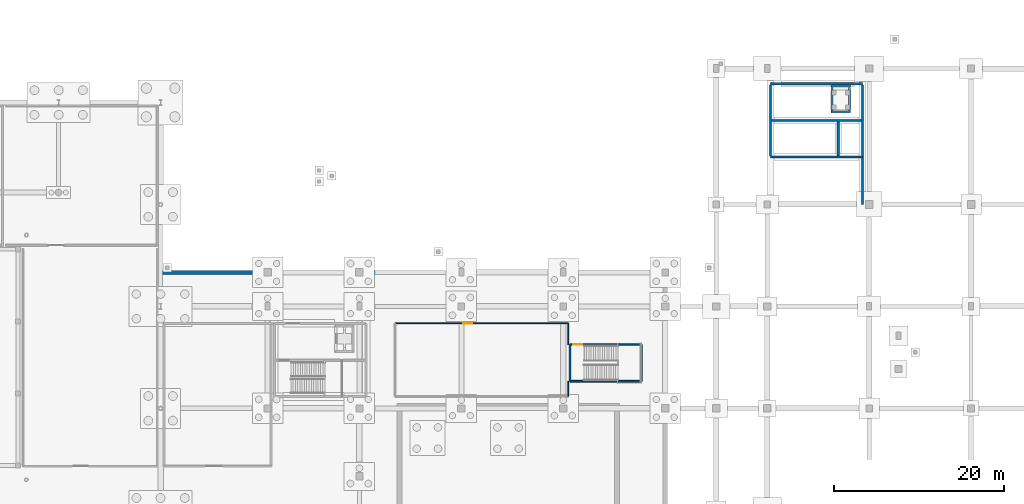
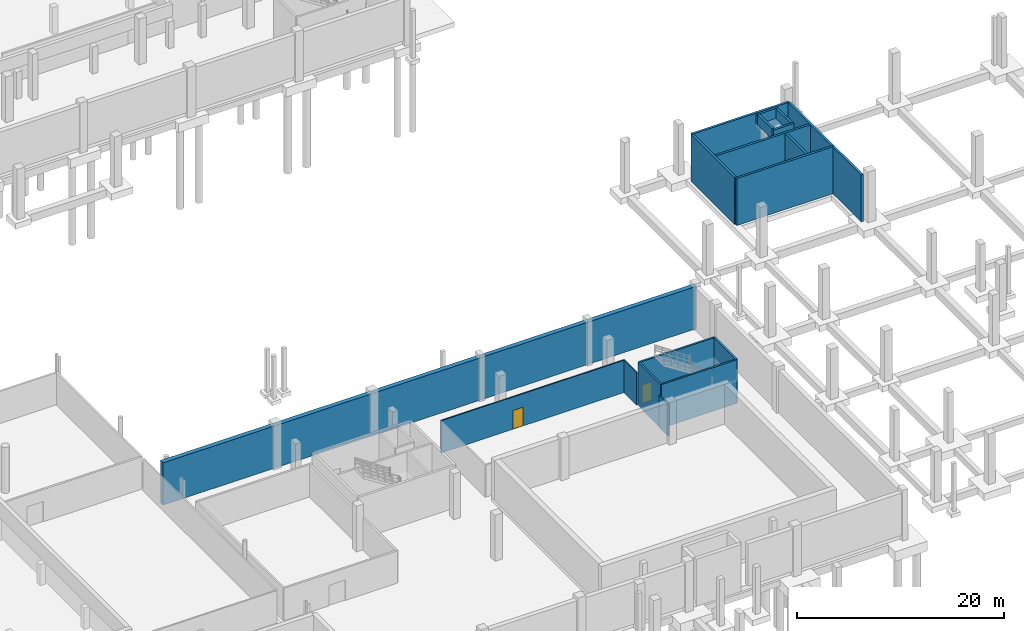
# One storey, part 33 of 42: 18 walls, 2 doors, 2 openings.
"""IFC4 building model written with IfcOpenShell, lengths in metres."""

from ifc_helpers import new_model, si_unit, direction, frame, frame_2d, origin, place, context, subcontext, project, spatial, rectangle, extrude, material, layer, layer_set, type_object, element, fill, save


model = new_model("IFC4")

# Units and contexts
model_context = context("Model", 3, precision=1e-05, world=origin(), true_north=direction((0.0, 1.0)))
body_context = subcontext(model_context, "Body", "Model", "MODEL_VIEW")
ifc_project = project(units=[si_unit("LENGTHUNIT", "METRE"), si_unit("AREAUNIT", "SQUARE_METRE"), si_unit("VOLUMEUNIT", "CUBIC_METRE"), si_unit("PLANEANGLEUNIT", "RADIAN"), si_unit("MASSUNIT", "GRAM", prefix="KILO"), si_unit("THERMODYNAMICTEMPERATUREUNIT", "KELVIN"), si_unit("POWERUNIT", "WATT")], contexts=[model_context])

# Site, building, storey
site_placement = place(None, origin())
site = spatial("IfcSite", under=ifc_project, at=site_placement, CompositionType="ELEMENT")
building_placement = place(site_placement, origin())
building = spatial("IfcBuilding", under=site, at=building_placement, Name="Solmara Park Aquatics Centre", CompositionType="ELEMENT")
storey_placement = place(building_placement, frame((0.0, 0.0, -5.39990234375)))
storey = spatial("IfcBuildingStorey", under=building, at=storey_placement, Name="B1", CompositionType="ELEMENT", Elevation=-5.39990234375)

# Walls
ifc_material_1 = material(Name="Double-Stud Acoustic Gypsum Partition", Category="gypsum")
ifc_layer_1 = layer(ifc_material_1, 0.139892578125, Name="Double-Stud Acoustic Gypsum Partition")
ifc_layer_set_1 = layer_set([ifc_layer_1], Name="Double-Stud Acoustic Gypsum Partition")
wall_type_1 = type_object("IfcWallType", Name="ARC-WL-ACU140", PredefinedType="PARTITIONING", material=ifc_layer_set_1)
wall_1_placement = place(storey_placement, frame((144.60009765625, 38.0, 0.0), z_axis=(0.0, 0.0, 1.0), x_axis=(0.0, 1.0, 0.0)))
element("IfcWall", 1, at=wall_1_placement, inside=storey, type_object=wall_type_1, Name="Interior Partition IW-B1-0020 (B1-OBS-01)", PredefinedType="PARTITIONING", context=body_context, shape_type="SweptSolid", body=[
    extrude(rectangle(XDim=1.7900390625, YDim=0.139892578125, at=frame_2d((0.89501953125, 0.0))), origin(), (0.0, 0.0, 1.0), 3.7998046875),
])
wall_2_placement = place(storey_placement, frame((144.60009765625, 44.110107421875, 0.0), z_axis=(0.0, 0.0, 1.0), x_axis=(0.0, 1.0, 0.0)))
element("IfcWall", 2, at=wall_2_placement, inside=storey, type_object=wall_type_1, Name="Interior Partition IW-B1-0021 (B1-OBS-01)", PredefinedType="PARTITIONING", context=body_context, shape_type="SweptSolid", body=[
    extrude(rectangle(XDim=2.489990234375, YDim=0.139892578125, at=frame_2d((1.2451171875, 0.0))), origin(), (0.0, 0.0, 1.0), 3.7998046875),
])

# Wall, opening, door
wall_3_placement = place(storey_placement, frame((124.199951171875, 46.60009765625, 0.0), z_axis=(0.0, 0.0, 1.0), x_axis=(1.0, 0.0, 0.0)))
wall_3 = element("IfcWall", 3, at=wall_3_placement, inside=storey, type_object=wall_type_1, Name="Interior Partition IW-B1-0022 (B1-OBS-01)", PredefinedType="PARTITIONING", context=body_context, shape_type="SweptSolid", body=[
    extrude(rectangle(XDim=20.400146484375, YDim=0.139892578125, at=frame_2d((10.2001953125, 0.0))), origin(), (0.0, 0.0, 1.0), 3.7998046875),
])
opening_1_placement = place(wall_3_placement, frame((8.0, 0.0, 0.0)))
opening_1 = element("IfcOpeningElement", 4, at=opening_1_placement, cuts=wall_3, Name="Opening D-11", PredefinedType="OPENING", context=body_context, shape_type="SweptSolid", body=[
    extrude(rectangle(XDim=1.10009765625, YDim=2.199951171875, at=frame_2d((0.550048828125, 1.10009765625))), frame((0.0, 0.079833984375, 0.0), z_axis=(0.0, -1.0, 0.0), x_axis=(1.0, 0.0, 0.0)), (0.0, 0.0, 1.0), 0.159912109375),
])
ifc_material_2 = material(Name="Moisture-Resistant HPL & Hardwood", Category="wood")
door_type = type_object("IfcDoorType", Name="ARC-DR-FD110x220", OperationType="NOTDEFINED", PredefinedType="DOOR", material=ifc_material_2)
door_1_placement = place(opening_1_placement, frame((1.10009765625, 0.0, 0.0), z_axis=(0.0, 0.0, 1.0), x_axis=(-1.0, 0.0, 0.0)))
door_1 = element("IfcDoor", 5, at=door_1_placement, inside=storey, type_object=door_type, Name="Underwater Diving Coaching and Biomechanics Viewing Chamber Door", OperationType="SINGLE_SWING_LEFT", OverallHeight=2.199951171875, OverallWidth=1.10009765625, PredefinedType="DOOR", context=body_context, shape_type="SweptSolid", body=[
    extrude(rectangle(XDim=1.10009765625, YDim=2.199951171875, at=frame_2d((0.550048828125, 1.10009765625))), frame((0.0, 0.02490234375, 0.0), z_axis=(0.0, -1.0, 0.0), x_axis=(1.0, 0.0, 0.0)), (0.0, 0.0, 1.0), 0.050048828125),
])
fill(opening_1, door_1)

# Walls
ifc_material_3 = material(Name="Concrete C40/50", Category="concrete")
ifc_layer_2 = layer(ifc_material_3, 0.25, Name="Concrete C40/50")
ifc_layer_set_2 = layer_set([ifc_layer_2], Name="Concrete C40/50")
wall_type_2 = type_object("IfcWallType", Name="STR-WL-CORE250", PredefinedType="SHEAR", material=ifc_layer_set_2)
for number, where, z_axis, x_axis, name in (
    (6, (175.5, 71.47509765625, 3.7998046875), (0.0, 0.0, 1.0), (1.0, 0.0, 0.0), "Lift Shaft LF-07 Pit Wall S"),
    (7, (175.5, 74.52490234375, 3.7998046875), (0.0, 0.0, 1.0), (1.0, 0.0, 0.0), "Lift Shaft LF-07 Pit Wall N"),
):
    element("IfcWall", number, at=place(storey_placement, frame(where, z_axis=z_axis, x_axis=x_axis)), inside=storey, type_object=wall_type_2, Name=name, PredefinedType="SHEAR", context=body_context, shape_type="SweptSolid", body=[
        extrude(rectangle(XDim=2.300048828125, YDim=0.25, at=frame_2d((1.14990234375, 0.0))), origin(), (0.0, 0.0, 1.0), 1.18017578125),
    ])
for number, where, z_axis, x_axis, name in (
    (8, (175.625, 71.610107421875, 3.7998046875), (0.0, 0.0, 1.0), (0.0, 1.0, 0.0), "Lift Shaft LF-07 Pit Wall W"),
    (9, (177.675048828125, 71.610107421875, 3.7998046875), (0.0, 0.0, 1.0), (0.0, 1.0, 0.0), "Lift Shaft LF-07 Pit Wall E"),
):
    element("IfcWall", number, at=place(storey_placement, frame(where, z_axis=z_axis, x_axis=x_axis)), inside=storey, type_object=wall_type_2, Name=name, PredefinedType="SHEAR", context=body_context, shape_type="SweptSolid", body=[
        extrude(rectangle(XDim=2.77978515625, YDim=0.25, at=frame_2d((1.389892578125, 0.0))), origin(), (0.0, 0.0, 1.0), 1.18017578125),
    ])
for number, where, z_axis, x_axis, name in (
    (10, (168.39990234375, 66.199951171875, -0.550048828125), (0.0, 0.0, 1.0), (1.0, 0.0, 0.0), "CORE-5 Foundation Support Wall S B1"),
    (11, (168.39990234375, 74.800048828125, -0.550048828125), (0.0, 0.0, 1.0), (1.0, 0.0, 0.0), "CORE-5 Foundation Support Wall N B1"),
):
    element("IfcWall", number, at=place(storey_placement, frame(where, z_axis=z_axis, x_axis=x_axis)), inside=storey, type_object=wall_type_2, Name=name, PredefinedType="SHEAR", context=body_context, shape_type="SweptSolid", body=[
        extrude(rectangle(XDim=10.800048828125, YDim=0.25, at=frame_2d((5.39990234375, 0.0))), origin(), (0.0, 0.0, 1.0), 5.530029296875),
    ])
wall_4_placement = place(storey_placement, frame((168.39990234375, 66.330078125, -0.550048828125), z_axis=(0.0, 0.0, 1.0), x_axis=(0.0, 1.0, 0.0)))
element("IfcWall", 12, at=wall_4_placement, inside=storey, type_object=wall_type_2, Name="CORE-5 Foundation Support Wall W B1", PredefinedType="SHEAR", context=body_context, shape_type="SweptSolid", body=[
    extrude(rectangle(XDim=8.33984375, YDim=0.25, at=frame_2d((4.169921875, 0.0))), origin(), (0.0, 0.0, 1.0), 5.530029296875),
])
wall_5_placement = place(storey_placement, frame((179.199951171875, 60.60009765625, -0.550048828125), z_axis=(0.0, 0.0, 1.0), x_axis=(0.0, 1.0, 0.0)))
element("IfcWall", 13, at=wall_5_placement, inside=storey, type_object=wall_type_2, Name="CORE-5 Foundation Support Wall E B1", PredefinedType="SHEAR", context=body_context, shape_type="SweptSolid", body=[
    extrude(rectangle(XDim=14.06982421875, YDim=0.25, at=frame_2d((7.034912109375, 0.0))), origin(), (0.0, 0.0, 1.0), 5.530029296875),
])
wall_6_placement = place(storey_placement, frame((168.530029296875, 70.47509765625, -0.550048828125), z_axis=(0.0, 0.0, 1.0), x_axis=(1.0, 0.0, 0.0)))
element("IfcWall", 14, at=wall_6_placement, inside=storey, type_object=wall_type_2, Name="CORE-5 Foundation Support Wall DIV B1", PredefinedType="SHEAR", context=body_context, shape_type="SweptSolid", body=[
    extrude(rectangle(XDim=10.5400390625, YDim=0.25, at=frame_2d((5.27001953125, 0.0))), origin(), (0.0, 0.0, 1.0), 5.530029296875),
])
wall_7_placement = place(storey_placement, frame((176.360107421875, 66.330078125, -0.550048828125), z_axis=(0.0, 0.0, 1.0), x_axis=(0.0, 1.0, 0.0)))
element("IfcWall", 15, at=wall_7_placement, inside=storey, type_object=wall_type_2, Name="CORE-5 Foundation Support Wall STE B1", PredefinedType="SHEAR", context=body_context, shape_type="SweptSolid", body=[
    extrude(rectangle(XDim=4.014892578125, YDim=0.25, at=frame_2d((2.00732421875, 0.0))), origin(), (0.0, 0.0, 1.0), 5.530029296875),
])
ifc_material_4 = material(Name="Watertight Concrete C45/55", Category="concrete")
ifc_layer_3 = layer(ifc_material_4, 0.5, Name="Watertight Concrete C45/55")
ifc_layer_set_3 = layer_set([ifc_layer_3], Name="Watertight Concrete C45/55")
wall_type_3 = type_object("IfcWallType", Name="STR-WL-RET500", PredefinedType="USERDEFINED", material=ifc_layer_set_3)
wall_8_placement = place(storey_placement, frame((156.0, 52.60009765625, 0.0), z_axis=(0.0, 0.0, 1.0), x_axis=(-1.0, 0.0, 0.0)))
element("IfcWall", 16, at=wall_8_placement, inside=storey, type_object=wall_type_3, Name="Basement Perimeter Retaining Wall 06", ObjectType="RETAINING WALL", PredefinedType="USERDEFINED", context=body_context, shape_type="SweptSolid", body=[
    extrude(rectangle(XDim=59.39990234375, YDim=0.5, at=frame_2d((29.699951171875, 0.0))), origin(), (0.0, 0.0, 1.0), 4.97998046875),
])
ifc_material_5 = material(Name="Concrete C35/45", Category="concrete")
ifc_layer_4 = layer(ifc_material_5, 0.199951171875, Name="Concrete C35/45")
ifc_layer_set_4 = layer_set([ifc_layer_4], Name="Concrete C35/45")
wall_type_4 = type_object("IfcWallType", Name="STR-WL-STAIR200", PredefinedType="SHEAR", material=ifc_layer_set_4)
wall_9_placement = place(storey_placement, frame((144.800048828125, 39.800048828125, -0.150146484375), z_axis=(0.0, 0.0, 1.0), x_axis=(1.0, 0.0, 0.0)))
element("IfcWall", 17, at=wall_9_placement, inside=storey, type_object=wall_type_4, Name="ST09 Escape Stair Wall S B1", PredefinedType="SHEAR", context=body_context, shape_type="SweptSolid", body=[
    extrude(rectangle(XDim=8.39990234375, YDim=0.199951171875, at=frame_2d((4.199951171875, 0.0))), origin(), (0.0, 0.0, 1.0), 5.130126953125),
])

# Wall, opening, door
wall_10_placement = place(storey_placement, frame((144.800048828125, 44.10009765625, -0.150146484375), z_axis=(0.0, 0.0, 1.0), x_axis=(1.0, 0.0, 0.0)))
wall_10 = element("IfcWall", 18, at=wall_10_placement, inside=storey, type_object=wall_type_4, Name="ST09 Escape Stair Wall N B1", PredefinedType="SHEAR", context=body_context, shape_type="SweptSolid", body=[
    extrude(rectangle(XDim=8.39990234375, YDim=0.199951171875, at=frame_2d((4.199951171875, 0.0))), origin(), (0.0, 0.0, 1.0), 5.130126953125),
])
opening_2_placement = place(wall_10_placement, frame((0.35009765625, 0.0, 0.14990234375)))
opening_2 = element("IfcOpeningElement", 19, at=opening_2_placement, cuts=wall_10, Name="Opening D-11", PredefinedType="OPENING", context=body_context, shape_type="SweptSolid", body=[
    extrude(rectangle(XDim=1.10009765625, YDim=2.199951171875, at=frame_2d((0.550048828125, 1.10009765625))), frame((0.0, 0.10986328125, 0.0), z_axis=(0.0, -1.0, 0.0), x_axis=(1.0, 0.0, 0.0)), (0.0, 0.0, 1.0), 0.219970703125),
])
door_2_placement = place(opening_2_placement, frame((1.10009765625, 0.0, 0.0), z_axis=(0.0, 0.0, 1.0), x_axis=(-1.0, 0.0, 0.0)))
door_2 = element("IfcDoor", 20, at=door_2_placement, inside=storey, type_object=door_type, Name="ST09 Escape Stair Entry Door B1", OperationType="SINGLE_SWING_LEFT", OverallHeight=2.199951171875, OverallWidth=1.10009765625, PredefinedType="DOOR", context=body_context, shape_type="SweptSolid", body=[
    extrude(rectangle(XDim=1.10009765625, YDim=2.199951171875, at=frame_2d((0.550048828125, 1.10009765625))), frame((0.0, 0.02490234375, 0.0), z_axis=(0.0, -1.0, 0.0), x_axis=(1.0, 0.0, 0.0)), (0.0, 0.0, 1.0), 0.050048828125),
])
fill(opening_2, door_2)

# Walls
for number, where, z_axis, x_axis, name in (
    (21, (144.800048828125, 39.800048828125, -0.150146484375), (0.0, 0.0, 1.0), (0.0, 1.0, 0.0), "ST09 Escape Stair Wall W B1"),
    (22, (153.199951171875, 39.800048828125, -0.150146484375), (0.0, 0.0, 1.0), (0.0, 1.0, 0.0), "ST09 Escape Stair Wall E B1"),
):
    element("IfcWall", number, at=place(storey_placement, frame(where, z_axis=z_axis, x_axis=x_axis)), inside=storey, type_object=wall_type_4, Name=name, PredefinedType="SHEAR", context=body_context, shape_type="SweptSolid", body=[
        extrude(rectangle(XDim=4.300048828125, YDim=0.199951171875, at=frame_2d((2.14990234375, 0.0))), origin(), (0.0, 0.0, 1.0), 5.130126953125),
    ])

save(model, "model.ifc")
